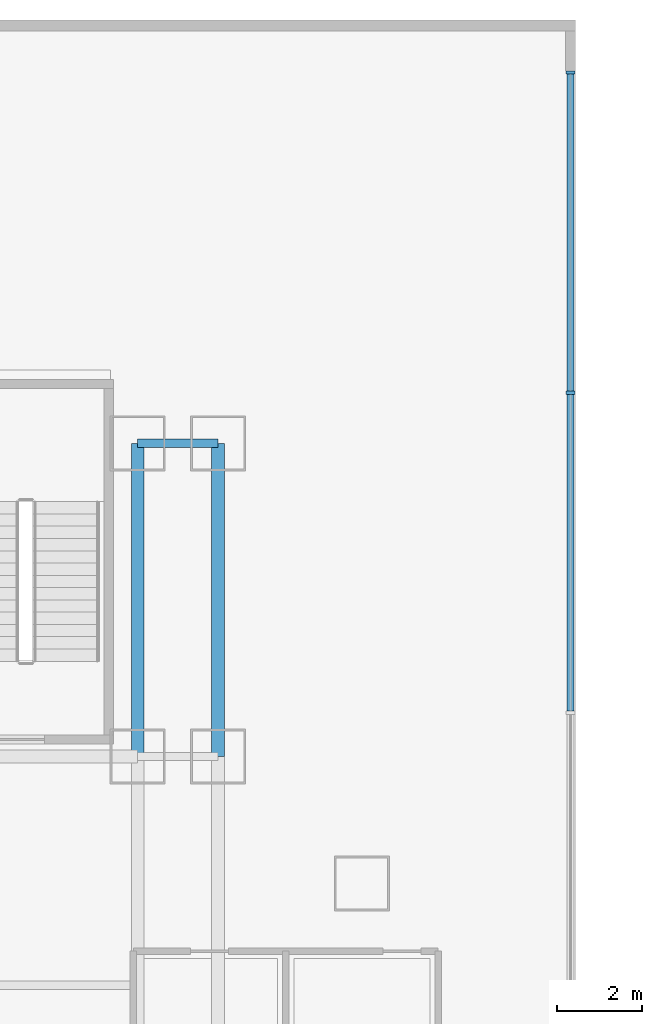
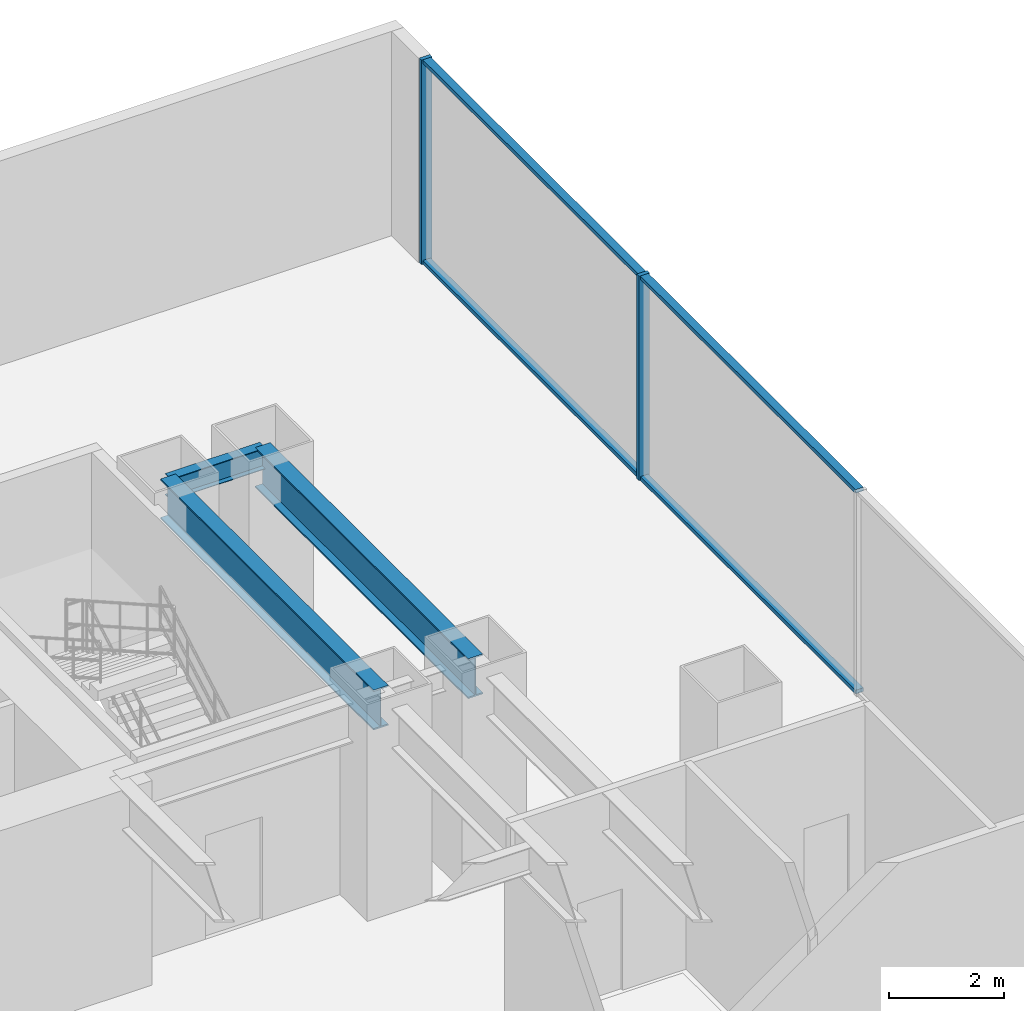
# One storey, part 6 of 13: 6 members, 3 beams, 1 element without a shape of its own.
"""IFC4 building model written with IfcOpenShell, lengths in metres."""

from ifc_helpers import new_model, si_unit, direction, frame, origin, origin_2d, place, context, subcontext, project, spatial, rectangle, i_section, extrude, source, transform, mapped, material, layer, layer_set, material_profile, profile_set, type_object, element, aggregate, save


model = new_model("IFC4")

# Units and contexts
model_context = context("Model", 3, precision=1e-05, world=origin(), true_north=direction((0.0, 1.0)))
body_context = subcontext(model_context, "Body", "Model", "MODEL_VIEW")
ifc_project = project(units=[si_unit("LENGTHUNIT", "METRE"), si_unit("AREAUNIT", "SQUARE_METRE"), si_unit("VOLUMEUNIT", "CUBIC_METRE"), si_unit("PLANEANGLEUNIT", "RADIAN"), si_unit("MASSUNIT", "GRAM", prefix="KILO")], contexts=[model_context])

# Site, building, storey
site_placement = place(None, origin())
site = spatial("IfcSite", under=ifc_project, at=site_placement, CompositionType="ELEMENT")
building_placement = place(site_placement, origin())
building = spatial("IfcBuilding", under=site, at=building_placement, Name="Qianlan Lanfeng Residences", CompositionType="ELEMENT")
storey_placement = place(building_placement, frame((0.0, 0.0, 14.39990234375)))
storey = spatial("IfcBuildingStorey", under=building, at=storey_placement, Name="L03", CompositionType="ELEMENT", Elevation=14.39990234375)

# Beams
ifc_material_1 = material(Name="Steel SN490B", Category="steel")
ifc_material_profile_1 = material_profile(ifc_material_1, i_section(OverallWidth=0.300048828125, OverallDepth=0.85009765625, WebThickness=0.01611328125, FlangeThickness=0.031982421875, at=origin_2d()), Name="H 850x300x16x32")
ifc_profile_set_1 = profile_set([ifc_material_profile_1], Name="Steel SN490B")
beam_type_1 = type_object("IfcBeamType", Name="G-1100", PredefinedType="BEAM", material=ifc_profile_set_1)
for number, where, z_axis, x_axis, name in (
    (1, (47.699951171875, 25.199951171875, 3.9150390625), (0.0, 1.0, 0.0), (-1.0, 0.0, 0.0), "Structural beam G-1100"),
    (2, (49.60009765625, 25.199951171875, 3.9150390625), (0.0, 1.0, 0.0), (-1.0, 0.0, 0.0), "Structural beam G-1100"),
):
    element("IfcBeam", number, at=place(storey_placement, frame(where, z_axis=z_axis, x_axis=x_axis)), inside=storey, type_object=beam_type_1, Name=name, PredefinedType="BEAM", context=body_context, shape_type="SweptSolid", body=[
        extrude(i_section(OverallWidth=0.300048828125, OverallDepth=0.85009765625, WebThickness=0.01611328125, FlangeThickness=0.031982421875, at=origin_2d()), origin(), (0.0, 0.0, 1.0), 7.400146484375),
    ])
ifc_material_profile_2 = material_profile(ifc_material_1, i_section(OverallWidth=0.199951171875, OverallDepth=0.449951171875, WebThickness=0.009033203125, FlangeThickness=0.013916015625, at=origin_2d()), Name="H 450x200x9x14")
ifc_profile_set_2 = profile_set([ifc_material_profile_2], Name="Steel SN490B")
beam_type_2 = type_object("IfcBeamType", Name="J-450", PredefinedType="JOIST", material=ifc_profile_set_2)
beam_placement = place(storey_placement, frame((47.699951171875, 32.60009765625, 4.114990234375), z_axis=(1.0, 0.0, 0.0), x_axis=(0.0, 1.0, 0.0)))
element("IfcBeam", 3, at=beam_placement, inside=storey, type_object=beam_type_2, Name="Structural beam J-450", PredefinedType="JOIST", context=body_context, shape_type="SweptSolid", body=[
    extrude(i_section(OverallWidth=0.199951171875, OverallDepth=0.449951171875, WebThickness=0.009033203125, FlangeThickness=0.013916015625, at=origin_2d()), origin(), (0.0, 0.0, 1.0), 1.900146484375),
])

# Curtain wall, members
ifc_material_2 = material(Name="Anodised Bronze Aluminium 6063-T6", Category="aluminium")
ifc_layer = layer(ifc_material_2, 0.219970703125)
ifc_layer_set = layer_set([ifc_layer], Name="Anodised Bronze Aluminium 6063-T6")
curtain_wall_type = type_object("IfcCurtainWallType", Name="CW-01", PredefinedType="NOTDEFINED", material=ifc_layer_set)
curtain_wall_placement = place(storey_placement, origin())
curtain_wall = element("IfcCurtainWall", 4, at=curtain_wall_placement, inside=storey, type_object=curtain_wall_type, Name="L03 Unitised Curtain Wall CWR-L03-E (CW-01)", PredefinedType="NOTDEFINED")
ifc_material_profile_3 = material_profile(ifc_material_2, rectangle(XDim=0.080078125, YDim=0.2099609375, at=origin_2d()), Name="ALU MULLION 80x210")
ifc_profile_set_3 = profile_set([ifc_material_profile_3], Name="Anodised Bronze Aluminium 6063-T6")
member_type_1 = type_object("IfcMemberType", Name="CWM-220", PredefinedType="MULLION", material=ifc_profile_set_3)
shared_shape_1 = source(origin(), body_context, "Body", "SweptSolid", [
    extrude(rectangle(XDim=0.080078125, YDim=0.2099609375, at=origin_2d()), origin(), (0.0, 0.0, 1.0), 4.340087890625),
])
member_1_placement = place(storey_placement, frame((57.929931640625, 33.796630859375, 0.0), z_axis=(0.0, 0.0, 1.0), x_axis=(0.0, 1.0, 0.0)))
member_1 = element("IfcMember", 5, at=member_1_placement, type_object=member_type_1, Name="CWR-L03-E Mullion 6", PredefinedType="MULLION", context=body_context, shape_type="MappedRepresentation", body=[
    mapped(shared_shape_1, transform((0.0, 0.0, 0.0), scale=1.0)),
])
member_2_placement = place(storey_placement, frame((57.929931640625, 41.360107421875, 0.0), z_axis=(0.0, 0.0, 1.0), x_axis=(0.0, 1.0, 0.0)))
member_2 = element("IfcMember", 6, at=member_2_placement, type_object=member_type_1, Name="CWR-L03-E Mullion 7", PredefinedType="MULLION", context=body_context, shape_type="MappedRepresentation", body=[
    mapped(shared_shape_1, transform((0.0, 0.0, 0.0), scale=1.0)),
])
ifc_material_profile_4 = material_profile(ifc_material_2, rectangle(XDim=0.080078125, YDim=0.159912109375, at=origin_2d()), Name="ALU TRANSOM 80x160")
ifc_profile_set_4 = profile_set([ifc_material_profile_4], Name="Anodised Bronze Aluminium 6063-T6")
member_type_2 = type_object("IfcMemberType", Name="CWT-180", PredefinedType="USERDEFINED", material=ifc_profile_set_4)
shared_shape_2 = source(origin(), body_context, "Body", "SweptSolid", [
    extrude(rectangle(XDim=0.080078125, YDim=0.159912109375, at=origin_2d()), origin(), (0.0, 0.0, 1.0), 7.4833984375),
])
member_3_placement = place(storey_placement, frame((57.929931640625, 26.273193359375, 0.0400390625), z_axis=(0.0, 1.0, 0.0), x_axis=(0.0, 0.0, 1.0)))
member_3 = element("IfcMember", 7, at=member_3_placement, type_object=member_type_2, Name="CWR-L03-E Transom 5-BOT", ObjectType="TRANSOM", PredefinedType="USERDEFINED", context=body_context, shape_type="MappedRepresentation", body=[
    mapped(shared_shape_2, transform((0.0, 0.0, 0.0), scale=1.0)),
])
member_4_placement = place(storey_placement, frame((57.929931640625, 26.273193359375, 4.300048828125), z_axis=(0.0, 1.0, 0.0), x_axis=(0.0, 0.0, 1.0)))
member_4 = element("IfcMember", 8, at=member_4_placement, type_object=member_type_2, Name="CWR-L03-E Transom 5-TOP", ObjectType="TRANSOM", PredefinedType="USERDEFINED", context=body_context, shape_type="MappedRepresentation", body=[
    mapped(shared_shape_2, transform((0.0, 0.0, 0.0), scale=1.0)),
])
member_5_placement = place(storey_placement, frame((57.929931640625, 33.836669921875, 0.0400390625), z_axis=(0.0, 1.0, 0.0), x_axis=(0.0, 0.0, 1.0)))
member_5 = element("IfcMember", 9, at=member_5_placement, type_object=member_type_2, Name="CWR-L03-E Transom 6-BOT", ObjectType="TRANSOM", PredefinedType="USERDEFINED", context=body_context, shape_type="MappedRepresentation", body=[
    mapped(shared_shape_2, transform((0.0, 0.0, 0.0), scale=1.0)),
])
member_6_placement = place(storey_placement, frame((57.929931640625, 33.836669921875, 4.300048828125), z_axis=(0.0, 1.0, 0.0), x_axis=(0.0, 0.0, 1.0)))
member_6 = element("IfcMember", 10, at=member_6_placement, type_object=member_type_2, Name="CWR-L03-E Transom 6-TOP", ObjectType="TRANSOM", PredefinedType="USERDEFINED", context=body_context, shape_type="MappedRepresentation", body=[
    mapped(shared_shape_2, transform((0.0, 0.0, 0.0), scale=1.0)),
])
aggregate(curtain_wall, [member_1, member_2, member_3, member_4, member_5, member_6])

save(model, "model.ifc")
